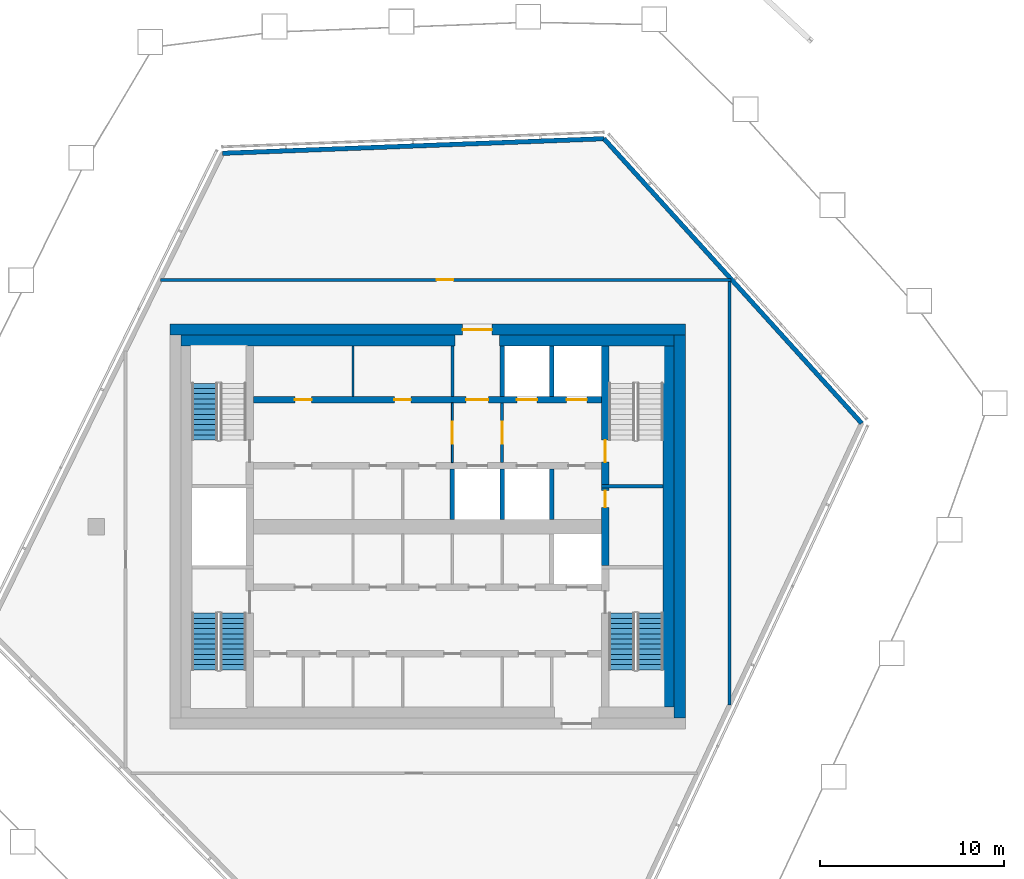
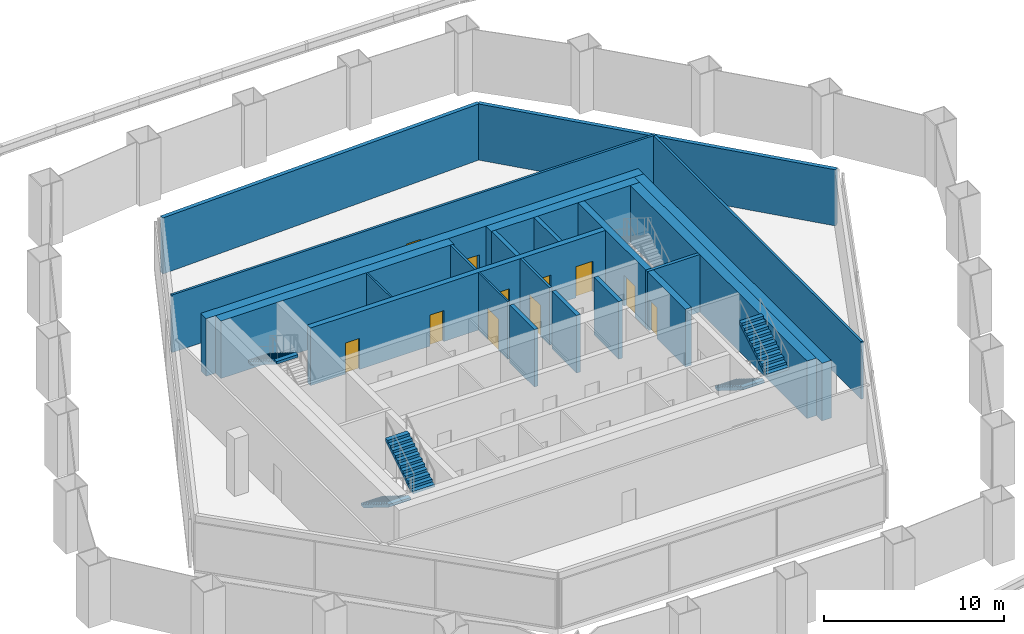
# One storey, part 9 of 18: 22 walls, 11 doors, 5 stair flights, 11 openings, 3 elements without a shape of their own.
"""IFC4 building model written with IfcOpenShell, lengths in metres."""

from ifc_helpers import new_model, si_unit, direction, frame, frame_2d, origin, place, context, subcontext, project, spatial, polyline, rectangle, outline, extrude, material, layer, layer_set, type_object, element, fill, aggregate, save


model = new_model("IFC4")

# Units and contexts
model_context = context("Model", 3, precision=1e-05, world=origin(), true_north=direction((0.0, 1.0)))
body_context = subcontext(model_context, "Body", "Model", "MODEL_VIEW")
ifc_project = project(units=[si_unit("LENGTHUNIT", "METRE"), si_unit("AREAUNIT", "SQUARE_METRE"), si_unit("VOLUMEUNIT", "CUBIC_METRE"), si_unit("PLANEANGLEUNIT", "RADIAN"), si_unit("MASSUNIT", "GRAM", prefix="KILO")], contexts=[model_context])

# Site, building, storey
site_placement = place(None, origin())
site = spatial("IfcSite", under=ifc_project, at=site_placement, CompositionType="ELEMENT")
building_placement = place(site_placement, origin())
building = spatial("IfcBuilding", under=site, at=building_placement, Name="Dongbaek Canopy Tower", CompositionType="ELEMENT")
storey_placement = place(building_placement, frame((0.0, 0.0, 371.60009765625)))
storey = spatial("IfcBuildingStorey", under=building, at=storey_placement, Name="L80", CompositionType="ELEMENT", Elevation=371.60009765625)

# Wall, openings, doors
ifc_material_1 = material(Name="Concrete C60/75", Category="concrete")
ifc_layer_1 = layer(ifc_material_1, 0.35009765625)
ifc_layer_set_1 = layer_set([ifc_layer_1], Name="Core lobby wall 350 Concrete C60/75")
wall_type_1 = type_object("IfcWallType", Name="Core lobby wall 350 Concrete C60/75", PredefinedType="SHEAR", material=ifc_layer_set_1)
wall_1_placement = place(storey_placement, frame((-9.449951171875, 6.89990234375, 0.0), z_axis=(0.0, 0.0, 1.0), x_axis=(1.0, 0.0, 0.0)))
wall_1 = element("IfcWall", 1, at=wall_1_placement, inside=storey, type_object=wall_type_1, Name="Core wall", PredefinedType="SHEAR", context=body_context, shape_type="SweptSolid", body=[
    extrude(rectangle(XDim=18.89990234375, YDim=0.35009765625, at=frame_2d((9.449951171875, 0.0))), origin(), (0.0, 0.0, 1.0), 3.89990234375),
])
opening_1_placement = place(wall_1_placement, frame((11.550048828125, 0.0, 0.0)))
opening_1 = element("IfcOpeningElement", 2, at=opening_1_placement, cuts=wall_1, Name="Opening L80-D006", PredefinedType="OPENING", context=body_context, shape_type="SweptSolid", body=[
    extrude(rectangle(XDim=1.199951171875, YDim=2.10009765625, at=frame_2d((0.60009765625, 1.050048828125))), frame((0.0, 0.18505859375, 0.0), z_axis=(0.0, -1.0, 0.0), x_axis=(1.0, 0.0, 0.0)), (0.0, 0.0, 1.0), 0.3701171875),
])
opening_2_placement = place(wall_1_placement, frame((14.300048828125, 0.0, 0.0)))
opening_2 = element("IfcOpeningElement", 3, at=opening_2_placement, cuts=wall_1, Name="Opening L80-D007", PredefinedType="OPENING", context=body_context, shape_type="SweptSolid", body=[
    extrude(rectangle(XDim=1.10009765625, YDim=2.10009765625, at=frame_2d((0.550048828125, 1.050048828125))), frame((0.0, 0.18505859375, 0.0), z_axis=(0.0, -1.0, 0.0), x_axis=(1.0, 0.0, 0.0)), (0.0, 0.0, 1.0), 0.3701171875),
])
opening_3_placement = place(wall_1_placement, frame((17.0, 0.0, 0.0)))
opening_3 = element("IfcOpeningElement", 4, at=opening_3_placement, cuts=wall_1, Name="Opening L80-D008", PredefinedType="OPENING", context=body_context, shape_type="SweptSolid", body=[
    extrude(rectangle(XDim=1.10009765625, YDim=2.10009765625, at=frame_2d((0.550048828125, 1.050048828125))), frame((0.0, 0.18505859375, 0.0), z_axis=(0.0, -1.0, 0.0), x_axis=(1.0, 0.0, 0.0)), (0.0, 0.0, 1.0), 0.3701171875),
])
opening_4_placement = place(wall_1_placement, frame((2.25, 0.0, 0.0)))
opening_4 = element("IfcOpeningElement", 5, at=opening_4_placement, cuts=wall_1, Name="Opening L80-D015", PredefinedType="OPENING", context=body_context, shape_type="SweptSolid", body=[
    extrude(rectangle(XDim=0.89990234375, YDim=2.10009765625, at=frame_2d((0.449951171875, 1.050048828125))), frame((0.0, 0.18505859375, 0.0), z_axis=(0.0, -1.0, 0.0), x_axis=(1.0, 0.0, 0.0)), (0.0, 0.0, 1.0), 0.3701171875),
])
opening_5_placement = place(wall_1_placement, frame((7.64990234375, 0.0, 0.0)))
opening_5 = element("IfcOpeningElement", 6, at=opening_5_placement, cuts=wall_1, Name="Opening L80-D016", PredefinedType="OPENING", context=body_context, shape_type="SweptSolid", body=[
    extrude(rectangle(XDim=0.89990234375, YDim=2.10009765625, at=frame_2d((0.449951171875, 1.050048828125))), frame((0.0, 0.18505859375, 0.0), z_axis=(0.0, -1.0, 0.0), x_axis=(1.0, 0.0, 0.0)), (0.0, 0.0, 1.0), 0.3701171875),
])
ifc_material_2 = material(Name="Steel", Category="steel")
door_type_1 = type_object("IfcDoorType", Name="Core room door 900 x 2100", OperationType="SINGLE_SWING_LEFT", PredefinedType="DOOR", material=ifc_material_2)
door_1_placement = place(opening_4_placement, origin())
door_1 = element("IfcDoor", 7, at=door_1_placement, inside=storey, type_object=door_type_1, Name="Door L80-D015", OperationType="SINGLE_SWING_RIGHT", OverallHeight=2.10009765625, OverallWidth=0.89990234375, PredefinedType="DOOR", context=body_context, shape_type="SweptSolid", body=[
    extrude(rectangle(XDim=0.89990234375, YDim=2.10009765625, at=frame_2d((0.449951171875, 1.050048828125))), frame((0.0, 0.02490234375, 0.0), z_axis=(0.0, -1.0, 0.0), x_axis=(1.0, 0.0, 0.0)), (0.0, 0.0, 1.0), 0.050048828125),
])
fill(opening_4, door_1)
door_2_placement = place(opening_5_placement, origin())
door_2 = element("IfcDoor", 8, at=door_2_placement, inside=storey, type_object=door_type_1, Name="Door L80-D016", OperationType="SINGLE_SWING_LEFT", OverallHeight=2.10009765625, OverallWidth=0.89990234375, PredefinedType="DOOR", context=body_context, shape_type="SweptSolid", body=[
    extrude(rectangle(XDim=0.89990234375, YDim=2.10009765625, at=frame_2d((0.449951171875, 1.050048828125))), frame((0.0, 0.02490234375, 0.0), z_axis=(0.0, -1.0, 0.0), x_axis=(1.0, 0.0, 0.0)), (0.0, 0.0, 1.0), 0.050048828125),
])
fill(opening_5, door_2)
ifc_material_3 = material(Name="Steel", Category="steel")
door_type_2 = type_object("IfcDoorType", Name="Fire lobby door 1200 x 2100", OperationType="SINGLE_SWING_LEFT", PredefinedType="DOOR", material=ifc_material_3)
door_3_placement = place(opening_1_placement, origin())
door_3 = element("IfcDoor", 9, at=door_3_placement, inside=storey, type_object=door_type_2, Name="Door L80-D006", OperationType="SINGLE_SWING_LEFT", OverallHeight=2.10009765625, OverallWidth=1.199951171875, PredefinedType="DOOR", context=body_context, shape_type="SweptSolid", body=[
    extrude(rectangle(XDim=1.199951171875, YDim=2.10009765625, at=frame_2d((0.60009765625, 1.050048828125))), frame((0.0, 0.02490234375, 0.0), z_axis=(0.0, -1.0, 0.0), x_axis=(1.0, 0.0, 0.0)), (0.0, 0.0, 1.0), 0.050048828125),
])
fill(opening_1, door_3)
ifc_material_4 = material(Name="Stainless steel", Category="steel")
door_type_3 = type_object("IfcDoorType", Name="Lift landing door 1100 x 2100", OperationType="DOUBLE_DOOR_SLIDING", PredefinedType="DOOR", material=ifc_material_4)
door_4_placement = place(opening_2_placement, origin())
door_4 = element("IfcDoor", 10, at=door_4_placement, inside=storey, type_object=door_type_3, Name="Landing door FF1", OperationType="DOUBLE_DOOR_SLIDING", OverallHeight=2.10009765625, OverallWidth=1.10009765625, PredefinedType="DOOR", context=body_context, shape_type="SweptSolid", body=[
    extrude(rectangle(XDim=1.10009765625, YDim=2.10009765625, at=frame_2d((0.550048828125, 1.050048828125))), frame((0.0, 0.02490234375, 0.0), z_axis=(0.0, -1.0, 0.0), x_axis=(1.0, 0.0, 0.0)), (0.0, 0.0, 1.0), 0.050048828125),
])
fill(opening_2, door_4)
door_5_placement = place(opening_3_placement, origin())
door_5 = element("IfcDoor", 11, at=door_5_placement, inside=storey, type_object=door_type_3, Name="Landing door FF2", OperationType="DOUBLE_DOOR_SLIDING", OverallHeight=2.10009765625, OverallWidth=1.10009765625, PredefinedType="DOOR", context=body_context, shape_type="SweptSolid", body=[
    extrude(rectangle(XDim=1.10009765625, YDim=2.10009765625, at=frame_2d((0.550048828125, 1.050048828125))), frame((0.0, 0.02490234375, 0.0), z_axis=(0.0, -1.0, 0.0), x_axis=(1.0, 0.0, 0.0)), (0.0, 0.0, 1.0), 0.050048828125),
])
fill(opening_3, door_5)

# Wall, opening, door
ifc_material_5 = material(Name="Concrete C80/95", Category="concrete")
ifc_layer_2 = layer(ifc_material_5, 0.60009765625)
ifc_layer_set_2 = layer_set([ifc_layer_2], Name="Core outer wall 600 Concrete C80/95")
wall_type_2 = type_object("IfcWallType", Name="Core outer wall 600 Concrete C80/95", PredefinedType="SHEAR", material=ifc_layer_set_2)
wall_2_placement = place(storey_placement, frame((-14.0, 10.699951171875, 0.0), z_axis=(0.0, 0.0, 1.0), x_axis=(1.0, 0.0, 0.0)))
wall_2 = element("IfcWall", 12, at=wall_2_placement, inside=storey, type_object=wall_type_2, Name="Core wall", PredefinedType="SHEAR", context=body_context, shape_type="SweptSolid", body=[
    extrude(rectangle(XDim=28.0, YDim=0.60009765625, at=frame_2d((14.0, 0.0))), origin(), (0.0, 0.0, 1.0), 3.89990234375),
])
opening_6_placement = place(wall_2_placement, frame((15.89990234375, 0.0, 0.0)))
opening_6 = element("IfcOpeningElement", 13, at=opening_6_placement, cuts=wall_2, Name="Opening L80-D005", PredefinedType="OPENING", context=body_context, shape_type="SweptSolid", body=[
    extrude(rectangle(XDim=1.60009765625, YDim=2.10009765625, at=frame_2d((0.800048828125, 1.050048828125))), frame((0.0, 0.31005859375, 0.0), z_axis=(0.0, -1.0, 0.0), x_axis=(1.0, 0.0, 0.0)), (0.0, 0.0, 1.0), 0.6201171875),
])
ifc_material_6 = material(Name="Steel", Category="steel")
door_type_4 = type_object("IfcDoorType", Name="Core exit door 1600 x 2100", OperationType="DOUBLE_DOOR_SINGLE_SWING", PredefinedType="DOOR", material=ifc_material_6)
door_6_placement = place(opening_6_placement, origin())
door_6 = element("IfcDoor", 14, at=door_6_placement, inside=storey, type_object=door_type_4, Name="Core exit door", OperationType="DOUBLE_DOOR_SINGLE_SWING", OverallHeight=2.10009765625, OverallWidth=1.60009765625, PredefinedType="DOOR", context=body_context, shape_type="SweptSolid", body=[
    extrude(rectangle(XDim=1.60009765625, YDim=2.10009765625, at=frame_2d((0.800048828125, 1.050048828125))), frame((0.0, 0.02490234375, 0.0), z_axis=(0.0, -1.0, 0.0), x_axis=(1.0, 0.0, 0.0)), (0.0, 0.0, 1.0), 0.050048828125),
])
fill(opening_6, door_6)

# Walls
wall_3_placement = place(storey_placement, frame((13.699951171875, 10.39990234375, 0.0), z_axis=(0.0, 0.0, 1.0), x_axis=(0.0, -1.0, 0.0)))
element("IfcWall", 15, at=wall_3_placement, inside=storey, type_object=wall_type_2, Name="Core wall", PredefinedType="SHEAR", context=body_context, shape_type="SweptSolid", body=[
    extrude(rectangle(XDim=20.7998046875, YDim=0.60009765625, at=frame_2d((10.39990234375, 0.0))), origin(), (0.0, 0.0, 1.0), 3.89990234375),
])
ifc_material_7 = material(Name="Concrete C60/75", Category="concrete")
ifc_layer_3 = layer(ifc_material_7, 0.60009765625)
ifc_layer_set_3 = layer_set([ifc_layer_3], Name="Core wall lining 600 Concrete C60/75")
wall_type_3 = type_object("IfcWallType", Name="Core wall lining 600 Concrete C60/75", PredefinedType="SHEAR", material=ifc_layer_set_3)
wall_4_placement = place(storey_placement, frame((-13.39990234375, 10.10009765625, 0.0), z_axis=(0.0, 0.0, 1.0), x_axis=(1.0, 0.0, 0.0)))
element("IfcWall", 16, at=wall_4_placement, inside=storey, type_object=wall_type_3, Name="Core wall lining", PredefinedType="SHEAR", context=body_context, shape_type="SweptSolid", body=[
    extrude(rectangle(XDim=14.89990234375, YDim=0.60009765625, at=frame_2d((7.449951171875, 0.0))), origin(), (0.0, 0.0, 1.0), 3.89990234375),
])
wall_5_placement = place(storey_placement, frame((3.89990234375, 10.10009765625, 0.0), z_axis=(0.0, 0.0, 1.0), x_axis=(1.0, 0.0, 0.0)))
element("IfcWall", 17, at=wall_5_placement, inside=storey, type_object=wall_type_3, Name="Core wall lining", PredefinedType="SHEAR", context=body_context, shape_type="SweptSolid", body=[
    extrude(rectangle(XDim=9.5, YDim=0.60009765625, at=frame_2d((4.75, 0.0))), origin(), (0.0, 0.0, 1.0), 3.89990234375),
])
wall_6_placement = place(storey_placement, frame((13.10009765625, 9.800048828125, 0.0), z_axis=(0.0, 0.0, 1.0), x_axis=(0.0, -1.0, 0.0)))
element("IfcWall", 18, at=wall_6_placement, inside=storey, type_object=wall_type_3, Name="Core wall lining", PredefinedType="SHEAR", context=body_context, shape_type="SweptSolid", body=[
    extrude(rectangle(XDim=19.60009765625, YDim=0.60009765625, at=frame_2d((9.800048828125, 0.0))), origin(), (0.0, 0.0, 1.0), 3.89990234375),
])

# Wall, opening, door
ifc_material_8 = material(Name="Gypsum board partition, steel stud, 2 x 15 mm fire board", Category="steel")
ifc_layer_4 = layer(ifc_material_8, 0.14990234375)
ifc_layer_set_4 = layer_set([ifc_layer_4], Name="Fire-rated partition 150 gypsum board")
wall_type_4 = type_object("IfcWallType", Name="Fire-rated partition 150 gypsum board", PredefinedType="PARTITIONING", material=ifc_layer_set_4)
wall_7_placement = place(storey_placement, frame((-14.499755859375, 13.39990234375, 0.0), z_axis=(0.0, 0.0, 1.0), x_axis=(1.0, 0.0, 0.0)))
wall_7 = element("IfcWall", 19, at=wall_7_placement, inside=storey, type_object=wall_type_4, Name="Corridor partition", PredefinedType="PARTITIONING", context=body_context, shape_type="SweptSolid", body=[
    extrude(rectangle(XDim=30.974853515625, YDim=0.14990234375, at=frame_2d((15.4873046875, 0.0))), origin(), (0.0, 0.0, 1.0), 3.89990234375),
])
opening_7_placement = place(wall_7_placement, frame((15.0, 0.0, 0.0)))
opening_7 = element("IfcOpeningElement", 20, at=opening_7_placement, cuts=wall_7, Name="Opening L80-D003", PredefinedType="OPENING", context=body_context, shape_type="SweptSolid", body=[
    extrude(rectangle(XDim=0.89990234375, YDim=2.10009765625, at=frame_2d((0.449951171875, 1.050048828125))), frame((0.0, 0.0849609375, 0.0), z_axis=(0.0, -1.0, 0.0), x_axis=(1.0, 0.0, 0.0)), (0.0, 0.0, 1.0), 0.169921875),
])
ifc_material_9 = material(Name="Timber veneered door leaf", Category="wood")
door_type_5 = type_object("IfcDoorType", Name="Store door 900 x 2100", OperationType="SINGLE_SWING_LEFT", PredefinedType="DOOR", material=ifc_material_9)
door_7_placement = place(opening_7_placement, origin())
door_7 = element("IfcDoor", 21, at=door_7_placement, inside=storey, type_object=door_type_5, Name="Door L80-D003", OperationType="SINGLE_SWING_RIGHT", OverallHeight=2.10009765625, OverallWidth=0.89990234375, PredefinedType="DOOR", context=body_context, shape_type="SweptSolid", body=[
    extrude(rectangle(XDim=0.89990234375, YDim=2.10009765625, at=frame_2d((0.449951171875, 1.050048828125))), frame((0.0, 0.02490234375, 0.0), z_axis=(0.0, -1.0, 0.0), x_axis=(1.0, 0.0, 0.0)), (0.0, 0.0, 1.0), 0.050048828125),
])
fill(opening_7, door_7)

# Wall
wall_8_placement = place(storey_placement, frame((16.39990234375, -9.676025390625, 0.0), z_axis=(0.0, 0.0, 1.0), x_axis=(0.0, 1.0, 0.0)))
element("IfcWall", 22, at=wall_8_placement, inside=storey, type_object=wall_type_4, Name="Corridor partition", PredefinedType="PARTITIONING", context=body_context, shape_type="SweptSolid", body=[
    extrude(rectangle(XDim=23.0009765625, YDim=0.14990234375, at=frame_2d((11.50048828125, 0.0))), origin(), (0.0, 0.0, 1.0), 3.89990234375),
])

# Wall, opening, door
wall_9_placement = place(storey_placement, frame((4.050048828125, 6.72509765625, 0.0), z_axis=(0.0, 0.0, 1.0), x_axis=(0.0, -1.0, 0.0)))
wall_9 = element("IfcWall", 23, at=wall_9_placement, inside=storey, type_object=wall_type_4, Name="Fire lobby partition", PredefinedType="PARTITIONING", context=body_context, shape_type="SweptSolid", body=[
    extrude(rectangle(XDim=3.25, YDim=0.14990234375, at=frame_2d((1.625, 0.0))), origin(), (0.0, 0.0, 1.0), 3.89990234375),
])
opening_8_placement = place(wall_9_placement, frame((1.02490234375, 0.0, 0.0)))
opening_8 = element("IfcOpeningElement", 24, at=opening_8_placement, cuts=wall_9, Name="Opening L80-D035", PredefinedType="OPENING", context=body_context, shape_type="SweptSolid", body=[
    extrude(rectangle(XDim=1.199951171875, YDim=2.10009765625, at=frame_2d((0.60009765625, 1.050048828125))), frame((0.0, 0.0849609375, 0.0), z_axis=(0.0, -1.0, 0.0), x_axis=(1.0, 0.0, 0.0)), (0.0, 0.0, 1.0), 0.169921875),
])
door_8_placement = place(opening_8_placement, origin())
door_8 = element("IfcDoor", 25, at=door_8_placement, inside=storey, type_object=door_type_2, Name="Door L80-D035", OperationType="SINGLE_SWING_RIGHT", OverallHeight=2.10009765625, OverallWidth=1.199951171875, PredefinedType="DOOR", context=body_context, shape_type="SweptSolid", body=[
    extrude(rectangle(XDim=1.199951171875, YDim=2.10009765625, at=frame_2d((0.60009765625, 1.050048828125))), frame((0.0, 0.02490234375, 0.0), z_axis=(0.0, -1.0, 0.0), x_axis=(1.0, 0.0, 0.0)), (0.0, 0.0, 1.0), 0.050048828125),
])
fill(opening_8, door_8)

# Walls
wall_10_placement = place(storey_placement, frame((1.35009765625, 7.074951171875, 0.0), z_axis=(0.0, 0.0, 1.0), x_axis=(0.0, 1.0, 0.0)))
element("IfcWall", 26, at=wall_10_placement, inside=storey, type_object=wall_type_4, Name="Fire lobby partition", PredefinedType="PARTITIONING", context=body_context, shape_type="SweptSolid", body=[
    extrude(rectangle(XDim=2.72509765625, YDim=0.14990234375, at=frame_2d((1.362548828125, 0.0))), origin(), (0.0, 0.0, 1.0), 3.89990234375),
])
ifc_material_10 = material(Name="Concrete C40/50", Category="concrete")
ifc_layer_5 = layer(ifc_material_10, 0.25)
ifc_layer_set_5 = layer_set([ifc_layer_5], Name="Lift shaft wall 250 Concrete C40/50")
wall_type_5 = type_object("IfcWallType", Name="Lift shaft wall 250 Concrete C40/50", PredefinedType="SOLIDWALL", material=ifc_layer_set_5)
for number, where, z_axis, x_axis, name in (
    (27, (6.75, 0.39990234375, 0.0), (0.0, 0.0, 1.0), (0.0, 1.0, 0.0), "Lift shaft wall"),
    (28, (6.75, 7.074951171875, 0.0), (0.0, 0.0, 1.0), (0.0, 1.0, 0.0), "Lift shaft wall"),
    (29, (4.050048828125, 0.39990234375, 0.0), (0.0, 0.0, 1.0), (0.0, 1.0, 0.0), "Lift shaft wall"),
    (30, (4.050048828125, 7.074951171875, 0.0), (0.0, 0.0, 1.0), (0.0, 1.0, 0.0), "Lift shaft wall"),
    (31, (1.35009765625, 0.39990234375, 0.0), (0.0, 0.0, 1.0), (0.0, 1.0, 0.0), "Lift shaft wall"),
):
    element("IfcWall", number, at=place(storey_placement, frame(where, z_axis=z_axis, x_axis=x_axis)), inside=storey, type_object=wall_type_5, Name=name, PredefinedType="SOLIDWALL", context=body_context, shape_type="SweptSolid", body=[
        extrude(rectangle(XDim=2.72509765625, YDim=0.25, at=frame_2d((1.362548828125, 0.0))), origin(), (0.0, 0.0, 1.0), 3.89990234375),
    ])

# Wall, opening, door
ifc_material_11 = material(Name="Gypsum board partition, steel stud, 2 x 12.5 mm board", Category="steel")
ifc_layer_6 = layer(ifc_material_11, 0.10009765625)
ifc_layer_set_6 = layer_set([ifc_layer_6], Name="Partition 100 gypsum board")
wall_type_6 = type_object("IfcWallType", Name="Partition 100 gypsum board", PredefinedType="PARTITIONING", material=ifc_layer_set_6)
wall_11_placement = place(storey_placement, frame((1.35009765625, 6.72509765625, 0.0), z_axis=(0.0, 0.0, 1.0), x_axis=(0.0, -1.0, 0.0)))
wall_11 = element("IfcWall", 32, at=wall_11_placement, inside=storey, type_object=wall_type_6, Name="Core partition", PredefinedType="PARTITIONING", context=body_context, shape_type="SweptSolid", body=[
    extrude(rectangle(XDim=3.25, YDim=0.10009765625, at=frame_2d((1.625, 0.0))), origin(), (0.0, 0.0, 1.0), 3.89990234375),
])
opening_9_placement = place(wall_11_placement, frame((1.02490234375, 0.0, 0.0)))
opening_9 = element("IfcOpeningElement", 33, at=opening_9_placement, cuts=wall_11, Name="Opening L80-D034", PredefinedType="OPENING", context=body_context, shape_type="SweptSolid", body=[
    extrude(rectangle(XDim=1.199951171875, YDim=2.10009765625, at=frame_2d((0.60009765625, 1.050048828125))), frame((0.0, 0.06005859375, 0.0), z_axis=(0.0, -1.0, 0.0), x_axis=(1.0, 0.0, 0.0)), (0.0, 0.0, 1.0), 0.1201171875),
])
door_9_placement = place(opening_9_placement, origin())
door_9 = element("IfcDoor", 34, at=door_9_placement, inside=storey, type_object=door_type_2, Name="Door L80-D034", OperationType="SINGLE_SWING_LEFT", OverallHeight=2.10009765625, OverallWidth=1.199951171875, PredefinedType="DOOR", context=body_context, shape_type="SweptSolid", body=[
    extrude(rectangle(XDim=1.199951171875, YDim=2.10009765625, at=frame_2d((0.60009765625, 1.050048828125))), frame((0.0, 0.02490234375, 0.0), z_axis=(0.0, -1.0, 0.0), x_axis=(1.0, 0.0, 0.0)), (0.0, 0.0, 1.0), 0.050048828125),
])
fill(opening_9, door_9)

# Walls
wall_12_placement = place(storey_placement, frame((-4.050048828125, 7.074951171875, 0.0), z_axis=(0.0, 0.0, 1.0), x_axis=(0.0, 1.0, 0.0)))
element("IfcWall", 35, at=wall_12_placement, inside=storey, type_object=wall_type_6, Name="Core partition", PredefinedType="PARTITIONING", context=body_context, shape_type="SweptSolid", body=[
    extrude(rectangle(XDim=2.72509765625, YDim=0.10009765625, at=frame_2d((1.362548828125, 0.0))), origin(), (0.0, 0.0, 1.0), 3.89990234375),
])
ifc_material_12 = material(Name="Pale metal cladding on insulated wall")
ifc_layer_7 = layer(ifc_material_12, 0.25)
ifc_layer_set_7 = layer_set([ifc_layer_7], Name="Plant floor wall 250")
wall_type_7 = type_object("IfcWallType", Name="Plant floor wall 250", PredefinedType="SOLIDWALL", material=ifc_layer_set_7)
wall_13_placement = place(storey_placement, frame((23.582763671875, 5.61376953125, 0.0), z_axis=(0.0, 0.0, 1.0), x_axis=(-0.671256862452, 0.741224813812, 0.0)))
element("IfcWall", 36, at=wall_13_placement, inside=storey, type_object=wall_type_7, Name="Plant wall L80 F2 1", PredefinedType="SOLIDWALL", context=body_context, shape_type="SweptSolid", body=[
    extrude(rectangle(XDim=20.855712890625, YDim=0.25, at=frame_2d((10.427734375, 0.0))), origin(), (0.0, 0.0, 1.0), 3.7998046875),
])
wall_14_placement = place(storey_placement, frame((9.583251953125, 21.072509765625, 0.0), z_axis=(0.0, 0.0, 1.0), x_axis=(-0.999269048775, -0.038227845343, 0.0)))
element("IfcWall", 37, at=wall_14_placement, inside=storey, type_object=wall_type_7, Name="Plant wall L80 F3 1", PredefinedType="SOLIDWALL", context=body_context, shape_type="SweptSolid", body=[
    extrude(rectangle(XDim=20.73681640625, YDim=0.25, at=frame_2d((10.368408203125, 0.0))), origin(), (0.0, 0.0, 1.0), 3.7998046875),
])
ifc_material_13 = material(Name="Concrete C60/75", Category="concrete")
ifc_layer_8 = layer(ifc_material_13, 0.199951171875)
ifc_layer_set_8 = layer_set([ifc_layer_8], Name="Riser wall 200 Concrete C60/75")
wall_type_8 = type_object("IfcWallType", Name="Riser wall 200 Concrete C60/75", PredefinedType="SHEAR", material=ifc_layer_set_8)
wall_15_placement = place(storey_placement, frame((9.449951171875, 2.199951171875, 0.0), z_axis=(0.0, 0.0, 1.0), x_axis=(1.0, 0.0, 0.0)))
element("IfcWall", 38, at=wall_15_placement, inside=storey, type_object=wall_type_8, Name="Riser wall", PredefinedType="SHEAR", context=body_context, shape_type="SweptSolid", body=[
    extrude(rectangle(XDim=3.35009765625, YDim=0.199951171875, at=frame_2d((1.675048828125, 0.0))), origin(), (0.0, 0.0, 1.0), 3.89990234375),
])

# Wall, opening, door
ifc_material_14 = material(Name="Concrete C60/75", Category="concrete")
ifc_layer_9 = layer(ifc_material_14, 0.39990234375)
ifc_layer_set_9 = layer_set([ifc_layer_9], Name="Stair wall 400 Concrete C60/75")
wall_type_9 = type_object("IfcWallType", Name="Stair wall 400 Concrete C60/75", PredefinedType="SHEAR", material=ifc_layer_set_9)
wall_16_placement = place(storey_placement, frame((9.64990234375, 2.10009765625, 0.0), z_axis=(0.0, 0.0, 1.0), x_axis=(0.0, -1.0, 0.0)))
wall_16 = element("IfcWall", 39, at=wall_16_placement, inside=storey, type_object=wall_type_9, Name="Stair wall", PredefinedType="SHEAR", context=body_context, shape_type="SweptSolid", body=[
    extrude(rectangle(XDim=4.2001953125, YDim=0.39990234375, at=frame_2d((2.10009765625, 0.0))), origin(), (0.0, 0.0, 1.0), 3.89990234375),
])
opening_10_placement = place(wall_16_placement, frame((0.14990234375, 0.0, 0.0)))
opening_10 = element("IfcOpeningElement", 40, at=opening_10_placement, cuts=wall_16, Name="Opening L80-D004", PredefinedType="OPENING", context=body_context, shape_type="SweptSolid", body=[
    extrude(rectangle(XDim=0.89990234375, YDim=2.10009765625, at=frame_2d((0.449951171875, 1.050048828125))), frame((0.0, 0.2099609375, 0.0), z_axis=(0.0, -1.0, 0.0), x_axis=(1.0, 0.0, 0.0)), (0.0, 0.0, 1.0), 0.419921875),
])
door_10_placement = place(opening_10_placement, origin())
door_10 = element("IfcDoor", 41, at=door_10_placement, inside=storey, type_object=door_type_1, Name="Door L80-D004", OperationType="SINGLE_SWING_RIGHT", OverallHeight=2.10009765625, OverallWidth=0.89990234375, PredefinedType="DOOR", context=body_context, shape_type="SweptSolid", body=[
    extrude(rectangle(XDim=0.89990234375, YDim=2.10009765625, at=frame_2d((0.449951171875, 1.050048828125))), frame((0.0, 0.02490234375, 0.0), z_axis=(0.0, -1.0, 0.0), x_axis=(1.0, 0.0, 0.0)), (0.0, 0.0, 1.0), 0.050048828125),
])
fill(opening_10, door_10)

wall_17_placement = place(storey_placement, frame((9.64990234375, 9.800048828125, 0.0), z_axis=(0.0, 0.0, 1.0), x_axis=(0.0, -1.0, 0.0)))
wall_17 = element("IfcWall", 42, at=wall_17_placement, inside=storey, type_object=wall_type_9, Name="Stair wall", PredefinedType="SHEAR", context=body_context, shape_type="SweptSolid", body=[
    extrude(rectangle(XDim=7.5, YDim=0.39990234375, at=frame_2d((3.75, 0.0))), origin(), (0.0, 0.0, 1.0), 3.89990234375),
])
opening_11_placement = place(wall_17_placement, frame((5.10009765625, 0.0, 0.0)))
opening_11 = element("IfcOpeningElement", 43, at=opening_11_placement, cuts=wall_17, Name="Opening L80-D030", PredefinedType="OPENING", context=body_context, shape_type="SweptSolid", body=[
    extrude(rectangle(XDim=1.199951171875, YDim=2.10009765625, at=frame_2d((0.60009765625, 1.050048828125))), frame((0.0, 0.2099609375, 0.0), z_axis=(0.0, -1.0, 0.0), x_axis=(1.0, 0.0, 0.0)), (0.0, 0.0, 1.0), 0.419921875),
])
ifc_material_15 = material(Name="Steel", Category="steel")
door_type_6 = type_object("IfcDoorType", Name="Stair door 1200 x 2100", OperationType="SINGLE_SWING_LEFT", PredefinedType="DOOR", material=ifc_material_15)
door_11_placement = place(opening_11_placement, origin())
door_11 = element("IfcDoor", 44, at=door_11_placement, inside=storey, type_object=door_type_6, Name="Stair A door", OperationType="SINGLE_SWING_LEFT", OverallHeight=2.10009765625, OverallWidth=1.199951171875, PredefinedType="DOOR", context=body_context, shape_type="SweptSolid", body=[
    extrude(rectangle(XDim=1.199951171875, YDim=2.10009765625, at=frame_2d((0.60009765625, 1.050048828125))), frame((0.0, 0.02490234375, 0.0), z_axis=(0.0, -1.0, 0.0), x_axis=(1.0, 0.0, 0.0)), (0.0, 0.0, 1.0), 0.050048828125),
])
fill(opening_11, door_11)

# Stair, stair flight
ifc_material_16 = material(Name="Concrete C40/50", Category="concrete")
stair_type = type_object("IfcStairType", Name="Core exit stair", PredefinedType="HALF_TURN_STAIR", material=ifc_material_16)
stair_1_placement = place(storey_placement, origin())
stair_1 = element("IfcStair", 45, at=stair_1_placement, inside=storey, type_object=stair_type, Name="L80 exit stair C", PredefinedType="HALF_TURN_STAIR")
ifc_material_17 = material(Name="Concrete C40/50", Category="concrete")
ifc_layer_10 = layer(ifc_material_17, 0.14990234375)
ifc_layer_set_10 = layer_set([ifc_layer_10], Name="Core stair flight 150 waist")
stair_flight_type = type_object("IfcStairFlightType", Name="Core stair flight 150 waist", PredefinedType="STRAIGHT", material=ifc_layer_set_10)
stair_flight_1_placement = place(storey_placement, frame((-12.10009765625, 7.780029296875, 2.099853515625), z_axis=(0.0, 0.0, 1.0), x_axis=(0.0, -1.0, 0.0)))
stair_flight_1 = element("IfcStairFlight", 46, at=stair_flight_1_placement, type_object=stair_flight_type, Name="ST-C flight 2", NumberOfRisers=12, NumberOfTreads=11, PredefinedType="STRAIGHT", RiserHeight=0.175, TreadLength=0.28, context=body_context, shape_type="SweptSolid", body=[
    extrude(outline(polyline([(0.0, 0.0), (0.0, 0.175048828125), (0.280029296875, 0.175048828125), (0.280029296875, 0.35009765625), (0.56005859375, 0.35009765625), (0.56005859375, 0.52490234375), (0.840087890625, 0.52490234375), (0.840087890625, 0.699951171875), (1.1201171875, 0.699951171875), (1.1201171875, 0.875), (1.39990234375, 0.875), (1.39990234375, 1.050048828125), (1.679931640625, 1.050048828125), (1.679931640625, 1.22509765625), (1.9599609375, 1.22509765625), (1.9599609375, 1.39990234375), (2.239990234375, 1.39990234375), (2.239990234375, 1.574951171875), (2.52001953125, 1.574951171875), (2.52001953125, 1.75), (2.800048828125, 1.75), (2.800048828125, 1.925048828125), (3.080078125, 1.925048828125), (3.080078125, 2.10009765625), (3.080078125, 1.748291015625), (0.28271484375, 0.0), (0.0, 0.0)])), frame((0.0, 0.699951171875, 0.0), z_axis=(0.0, -1.0, 0.0), x_axis=(1.0, 0.0, 0.0)), (0.0, 0.0, 1.0), 1.39990234375),
])
aggregate(stair_1, [stair_flight_1])

# Stair, stair flights
stair_2_placement = place(storey_placement, origin())
stair_2 = element("IfcStair", 47, at=stair_2_placement, inside=storey, type_object=stair_type, Name="L80 exit stair B", PredefinedType="HALF_TURN_STAIR")
stair_flight_2_placement = place(storey_placement, frame((10.550048828125, -4.699951171875, 0.0), z_axis=(0.0, 0.0, 1.0), x_axis=(0.0, -1.0, 0.0)))
stair_flight_2 = element("IfcStairFlight", 48, at=stair_flight_2_placement, type_object=stair_flight_type, Name="ST-B flight 1", NumberOfRisers=12, NumberOfTreads=11, PredefinedType="STRAIGHT", RiserHeight=0.175, TreadLength=0.28, context=body_context, shape_type="SweptSolid", body=[
    extrude(outline(polyline([(0.0, 0.0), (0.0, 0.175048828125), (0.280029296875, 0.175048828125), (0.280029296875, 0.35009765625), (0.56005859375, 0.35009765625), (0.56005859375, 0.52490234375), (0.840087890625, 0.52490234375), (0.840087890625, 0.699951171875), (1.1201171875, 0.699951171875), (1.1201171875, 0.875), (1.39990234375, 0.875), (1.39990234375, 1.050048828125), (1.679931640625, 1.050048828125), (1.679931640625, 1.22509765625), (1.9599609375, 1.22509765625), (1.9599609375, 1.39990234375), (2.239990234375, 1.39990234375), (2.239990234375, 1.574951171875), (2.52001953125, 1.574951171875), (2.52001953125, 1.75), (2.800048828125, 1.75), (2.800048828125, 1.925048828125), (3.080078125, 1.925048828125), (3.080078125, 2.10009765625), (3.080078125, 1.748291015625), (0.28271484375, 0.0), (0.0, 0.0)])), frame((0.0, 0.699951171875, 0.0), z_axis=(0.0, -1.0, 0.0), x_axis=(1.0, 0.0, 0.0)), (0.0, 0.0, 1.0), 1.39990234375),
])
stair_flight_3_placement = place(storey_placement, frame((12.10009765625, -7.780029296875, 2.099853515625), z_axis=(0.0, 0.0, 1.0), x_axis=(0.0, 1.0, 0.0)))
stair_flight_3 = element("IfcStairFlight", 49, at=stair_flight_3_placement, type_object=stair_flight_type, Name="ST-B flight 2", NumberOfRisers=12, NumberOfTreads=11, PredefinedType="STRAIGHT", RiserHeight=0.175, TreadLength=0.28, context=body_context, shape_type="SweptSolid", body=[
    extrude(outline(polyline([(0.0, 0.0), (0.0, 0.175048828125), (0.280029296875, 0.175048828125), (0.280029296875, 0.35009765625), (0.56005859375, 0.35009765625), (0.56005859375, 0.52490234375), (0.840087890625, 0.52490234375), (0.840087890625, 0.699951171875), (1.1201171875, 0.699951171875), (1.1201171875, 0.875), (1.39990234375, 0.875), (1.39990234375, 1.050048828125), (1.679931640625, 1.050048828125), (1.679931640625, 1.22509765625), (1.9599609375, 1.22509765625), (1.9599609375, 1.39990234375), (2.239990234375, 1.39990234375), (2.239990234375, 1.574951171875), (2.52001953125, 1.574951171875), (2.52001953125, 1.75), (2.800048828125, 1.75), (2.800048828125, 1.925048828125), (3.080078125, 1.925048828125), (3.080078125, 2.10009765625), (3.080078125, 1.748291015625), (0.28271484375, 0.0), (0.0, 0.0)])), frame((0.0, 0.699951171875, 0.0), z_axis=(0.0, -1.0, 0.0), x_axis=(1.0, 0.0, 0.0)), (0.0, 0.0, 1.0), 1.39990234375),
])
aggregate(stair_2, [stair_flight_2, stair_flight_3])

stair_3_placement = place(storey_placement, origin())
stair_3 = element("IfcStair", 50, at=stair_3_placement, inside=storey, type_object=stair_type, Name="L80 exit stair D", PredefinedType="HALF_TURN_STAIR")
stair_flight_4_placement = place(storey_placement, frame((-12.10009765625, -4.699951171875, 0.0), z_axis=(0.0, 0.0, 1.0), x_axis=(0.0, -1.0, 0.0)))
stair_flight_4 = element("IfcStairFlight", 51, at=stair_flight_4_placement, type_object=stair_flight_type, Name="ST-D flight 1", NumberOfRisers=12, NumberOfTreads=11, PredefinedType="STRAIGHT", RiserHeight=0.175, TreadLength=0.28, context=body_context, shape_type="SweptSolid", body=[
    extrude(outline(polyline([(0.0, 0.0), (0.0, 0.175048828125), (0.280029296875, 0.175048828125), (0.280029296875, 0.35009765625), (0.56005859375, 0.35009765625), (0.56005859375, 0.52490234375), (0.840087890625, 0.52490234375), (0.840087890625, 0.699951171875), (1.1201171875, 0.699951171875), (1.1201171875, 0.875), (1.39990234375, 0.875), (1.39990234375, 1.050048828125), (1.679931640625, 1.050048828125), (1.679931640625, 1.22509765625), (1.9599609375, 1.22509765625), (1.9599609375, 1.39990234375), (2.239990234375, 1.39990234375), (2.239990234375, 1.574951171875), (2.52001953125, 1.574951171875), (2.52001953125, 1.75), (2.800048828125, 1.75), (2.800048828125, 1.925048828125), (3.080078125, 1.925048828125), (3.080078125, 2.10009765625), (3.080078125, 1.748291015625), (0.28271484375, 0.0), (0.0, 0.0)])), frame((0.0, 0.699951171875, 0.0), z_axis=(0.0, -1.0, 0.0), x_axis=(1.0, 0.0, 0.0)), (0.0, 0.0, 1.0), 1.39990234375),
])
stair_flight_5_placement = place(storey_placement, frame((-10.550048828125, -7.780029296875, 2.099853515625), z_axis=(0.0, 0.0, 1.0), x_axis=(0.0, 1.0, 0.0)))
stair_flight_5 = element("IfcStairFlight", 52, at=stair_flight_5_placement, type_object=stair_flight_type, Name="ST-D flight 2", NumberOfRisers=12, NumberOfTreads=11, PredefinedType="STRAIGHT", RiserHeight=0.175, TreadLength=0.28, context=body_context, shape_type="SweptSolid", body=[
    extrude(outline(polyline([(0.0, 0.0), (0.0, 0.175048828125), (0.280029296875, 0.175048828125), (0.280029296875, 0.35009765625), (0.56005859375, 0.35009765625), (0.56005859375, 0.52490234375), (0.840087890625, 0.52490234375), (0.840087890625, 0.699951171875), (1.1201171875, 0.699951171875), (1.1201171875, 0.875), (1.39990234375, 0.875), (1.39990234375, 1.050048828125), (1.679931640625, 1.050048828125), (1.679931640625, 1.22509765625), (1.9599609375, 1.22509765625), (1.9599609375, 1.39990234375), (2.239990234375, 1.39990234375), (2.239990234375, 1.574951171875), (2.52001953125, 1.574951171875), (2.52001953125, 1.75), (2.800048828125, 1.75), (2.800048828125, 1.925048828125), (3.080078125, 1.925048828125), (3.080078125, 2.10009765625), (3.080078125, 1.748291015625), (0.28271484375, 0.0), (0.0, 0.0)])), frame((0.0, 0.699951171875, 0.0), z_axis=(0.0, -1.0, 0.0), x_axis=(1.0, 0.0, 0.0)), (0.0, 0.0, 1.0), 1.39990234375),
])
aggregate(stair_3, [stair_flight_4, stair_flight_5])

save(model, "model.ifc")
